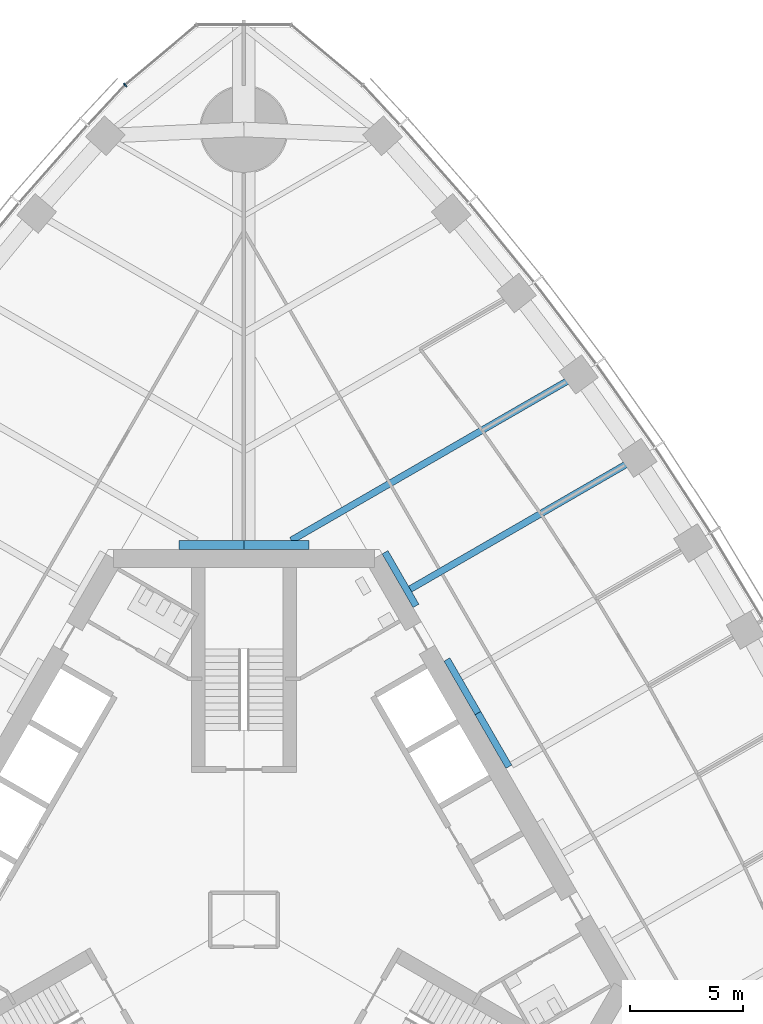
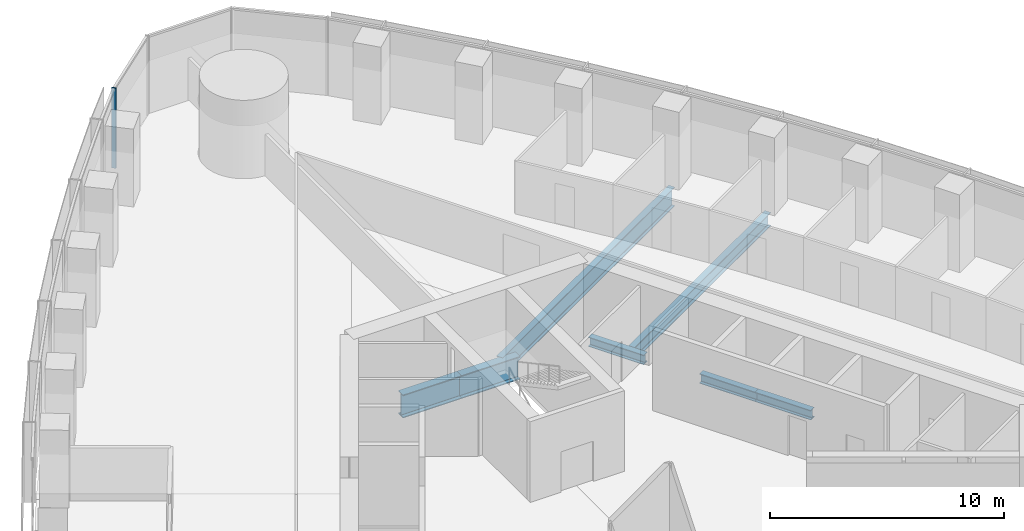
# One storey, part 5 of 21: 7 beams, 1 member, 1 element without a shape of its own.
"""IFC4 building model written with IfcOpenShell, lengths in metres."""

from ifc_helpers import new_model, si_unit, direction, frame, origin, origin_2d, place, context, subcontext, project, spatial, rectangle, i_section, extrude, material, material_profile, profile_set, type_object, element, aggregate, save


model = new_model("IFC4")

# Units and contexts
model_context = context("Model", 3, precision=1e-05, world=origin(), true_north=direction((0.0, 1.0)))
body_context = subcontext(model_context, "Body", "Model", "MODEL_VIEW")
ifc_project = project(units=[si_unit("LENGTHUNIT", "METRE"), si_unit("AREAUNIT", "SQUARE_METRE"), si_unit("VOLUMEUNIT", "CUBIC_METRE"), si_unit("PLANEANGLEUNIT", "RADIAN"), si_unit("MASSUNIT", "GRAM", prefix="KILO")], contexts=[model_context])

# Site, building, storey
site_placement = place(None, origin())
site = spatial("IfcSite", under=ifc_project, at=site_placement, CompositionType="ELEMENT")
building_placement = place(site_placement, origin())
building = spatial("IfcBuilding", under=site, at=building_placement, Name="Trefoil Bronze Tower", CompositionType="ELEMENT")
storey_placement = place(building_placement, frame((0.0, 0.0, 149.300048828125)))
storey = spatial("IfcBuildingStorey", under=building, at=storey_placement, Name="L34", CompositionType="ELEMENT", Elevation=149.300048828125)

# Curtain wall, member
ifc_material_1 = material(Name="Tinted solar-control glass", Category="glass")
curtain_wall_type = type_object("IfcCurtainWallType", Name="Bronze rounded corner curtain wall", PredefinedType="USERDEFINED", material=ifc_material_1)
curtain_wall_placement = place(storey_placement, origin())
curtain_wall = element("IfcCurtainWall", 1, at=curtain_wall_placement, inside=storey, type_object=curtain_wall_type, Name="CW-B L34 K2", ObjectType="CURTAIN WALL", PredefinedType="USERDEFINED")
ifc_material_2 = material(Name="Bronze-finish aluminium", Category="aluminium")
ifc_material_profile_1 = material_profile(ifc_material_2, rectangle(XDim=0.199951171875, YDim=0.06005859375, at=origin_2d()), Name="CW-B mullion")
ifc_profile_set_1 = profile_set([ifc_material_profile_1], Name="Bronze-finish aluminium")
member_type = type_object("IfcMemberType", Name="Bronze rounded corner curtain wall mullion", PredefinedType="MULLION", material=ifc_profile_set_1)
member_placement = place(storey_placement, frame((-5.260498046875, 36.975830078125, 0.0), z_axis=(0.0, 0.0, 1.0), x_axis=(0.642787609687, -0.766044443119, 0.0)))
member = element("IfcMember", 2, at=member_placement, type_object=member_type, Name="CW-B L34 K2 mullion 4", PredefinedType="MULLION", context=body_context, shape_type="SweptSolid", body=[
    extrude(rectangle(XDim=0.199951171875, YDim=0.06005859375, at=origin_2d()), origin(), (0.0, 0.0, 1.0), 4.179931640625),
])
aggregate(curtain_wall, [member])

# Beams
ifc_material_3 = material(Name="Steel C355", Category="steel")
ifc_material_profile_2 = material_profile(ifc_material_3, i_section(OverallWidth=0.300048828125, OverallDepth=0.5, WebThickness=0.014404296875, FlangeThickness=0.028076171875, FilletRadius=0.027099609375, at=origin_2d()), Name="HEB 500")
ifc_profile_set_2 = profile_set([ifc_material_profile_2], Name="Steel C355")
beam_type_1 = type_object("IfcBeamType", Name="Core seat beam HEB 500", PredefinedType="BEAM", material=ifc_profile_set_2)
for number, where, z_axis, x_axis, name in (
    (3, (11.734619140625, 6.77490234375, -0.449951171875), (-0.499969057507, 0.866043267704, 0.0), (-0.866043267704, -0.499969057507, 0.0), "Core seat beam F2/+0 L34"),
    (4, (10.363525390625, 9.14990234375, -0.449951171875), (-0.500035825175, 0.866004719122, 0.0), (-0.866004719122, -0.500035825175, 0.0), "Core seat beam F2/+1 L34"),
    (5, (7.62109375, 13.89990234375, -0.449951171875), (-0.500035825175, 0.866004719122, 0.0), (-0.866004719122, -0.500035825175, 0.0), "Core seat beam F2/+2 L34"),
):
    element("IfcBeam", number, at=place(storey_placement, frame(where, z_axis=z_axis, x_axis=x_axis)), inside=storey, type_object=beam_type_1, Name=name, PredefinedType="BEAM", context=body_context, shape_type="SweptSolid", body=[
        extrude(i_section(OverallWidth=0.300048828125, OverallDepth=0.5, WebThickness=0.014404296875, FlangeThickness=0.028076171875, FilletRadius=0.027099609375, at=origin_2d()), origin(), (0.0, 0.0, 1.0), 2.742431640625),
    ])
ifc_material_4 = material(Name="Steel C355", Category="steel")
ifc_material_profile_3 = material_profile(ifc_material_4, i_section(OverallWidth=0.39990234375, OverallDepth=1.199951171875, WebThickness=0.02001953125, FlangeThickness=0.0400390625, FilletRadius=0.010009765625, at=origin_2d()), Name="WPG 1200")
ifc_profile_set_3 = profile_set([ifc_material_profile_3], Name="Steel C355")
beam_type_2 = type_object("IfcBeamType", Name="Core seat beam WPG 1200", PredefinedType="BEAM", material=ifc_profile_set_3)
for number, where, z_axis, x_axis, name in (
    (6, (2.88671875, 16.60009765625, -0.800048828125), (-1.0, 0.0, 0.0), (0.0, -1.0, 0.0), "Core seat beam F2/+3 L34"),
    (7, (0.0, 16.60009765625, -0.800048828125), (-1.0, 0.0, 0.0), (0.0, -1.0, 0.0), "Core seat beam F3/-3 L34"),
):
    element("IfcBeam", number, at=place(storey_placement, frame(where, z_axis=z_axis, x_axis=x_axis)), inside=storey, type_object=beam_type_2, Name=name, PredefinedType="BEAM", context=body_context, shape_type="SweptSolid", body=[
        extrude(i_section(OverallWidth=0.39990234375, OverallDepth=1.199951171875, WebThickness=0.02001953125, FlangeThickness=0.0400390625, FilletRadius=0.010009765625, at=origin_2d()), origin(), (0.0, 0.0, 1.0), 2.88671875),
    ])
ifc_material_5 = material(Name="Steel C355", Category="steel")
ifc_material_profile_4 = material_profile(ifc_material_5, i_section(OverallWidth=0.300048828125, OverallDepth=1.0, WebThickness=0.01904296875, FlangeThickness=0.035888671875, FilletRadius=0.030029296875, at=origin_2d()), Name="HEB 1000")
ifc_profile_set_4 = profile_set([ifc_material_profile_4], Name="Steel C355")
beam_type_3 = type_object("IfcBeamType", Name="Floor beam HEB 1000", PredefinedType="BEAM", material=ifc_profile_set_4)
beam_1_placement = place(storey_placement, frame((14.825439453125, 24.14794921875, -0.699951171875), z_axis=(-0.866027342682, -0.499996641717, 0.0), x_axis=(0.499996641717, -0.866027342682, 0.0)))
element("IfcBeam", 8, at=beam_1_placement, inside=storey, type_object=beam_type_3, Name="Floor beam F2/+3 L34", PredefinedType="BEAM", context=body_context, shape_type="SweptSolid", body=[
    extrude(i_section(OverallWidth=0.300048828125, OverallDepth=1.0, WebThickness=0.01904296875, FlangeThickness=0.035888671875, FilletRadius=0.030029296875, at=origin_2d()), origin(), (0.0, 0.0, 1.0), 14.69580078125),
])
ifc_material_6 = material(Name="Steel C355", Category="steel")
ifc_material_profile_5 = material_profile(ifc_material_6, i_section(OverallWidth=0.300048828125, OverallDepth=0.699951171875, WebThickness=0.01708984375, FlangeThickness=0.031982421875, FilletRadius=0.027099609375, at=origin_2d()), Name="HEB 700")
ifc_profile_set_5 = profile_set([ifc_material_profile_5], Name="Steel C355")
beam_type_4 = type_object("IfcBeamType", Name="Floor beam HEB 700", PredefinedType="BEAM", material=ifc_profile_set_5)
beam_2_placement = place(storey_placement, frame((17.43017578125, 20.45556640625, -0.550048828125), z_axis=(-0.866030626868, -0.499990953245, 0.0), x_axis=(0.499990953245, -0.866030626868, 0.0)))
element("IfcBeam", 9, at=beam_2_placement, inside=storey, type_object=beam_type_4, Name="Floor beam F2/+2 L34", PredefinedType="BEAM", context=body_context, shape_type="SweptSolid", body=[
    extrude(i_section(OverallWidth=0.300048828125, OverallDepth=0.699951171875, WebThickness=0.01708984375, FlangeThickness=0.031982421875, FilletRadius=0.027099609375, at=origin_2d()), origin(), (0.0, 0.0, 1.0), 11.622802734375),
])

save(model, "model.ifc")
